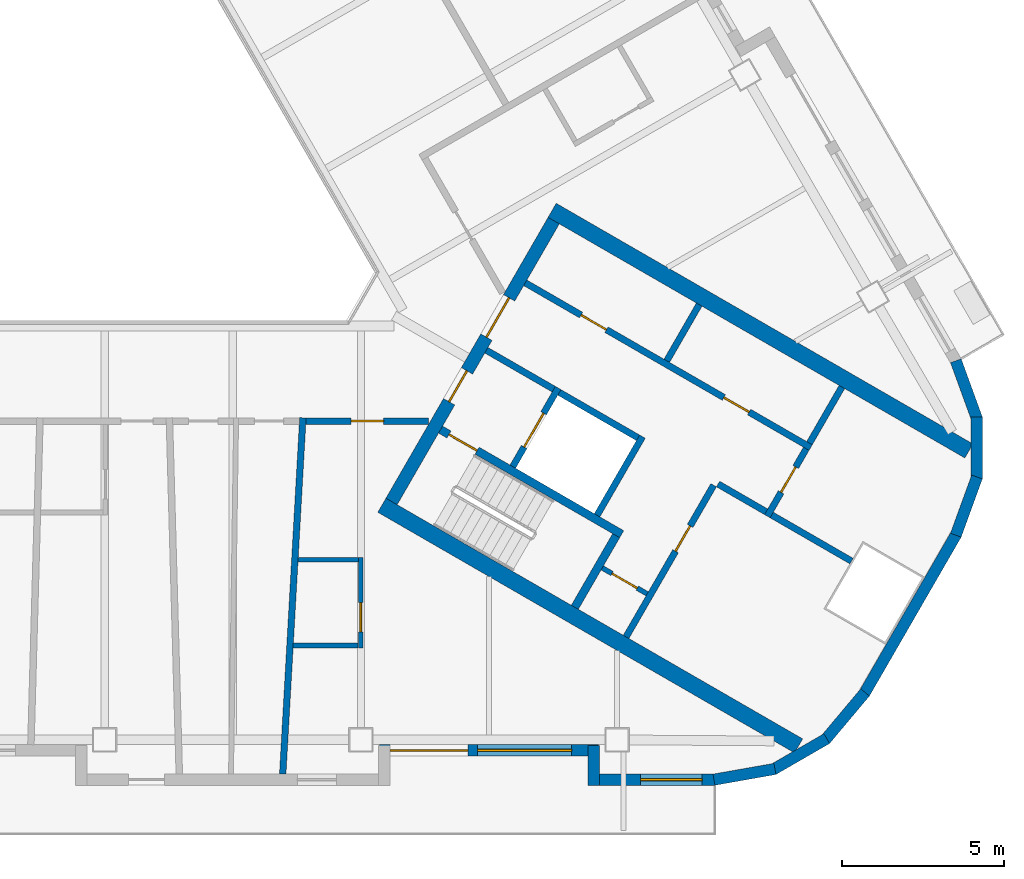
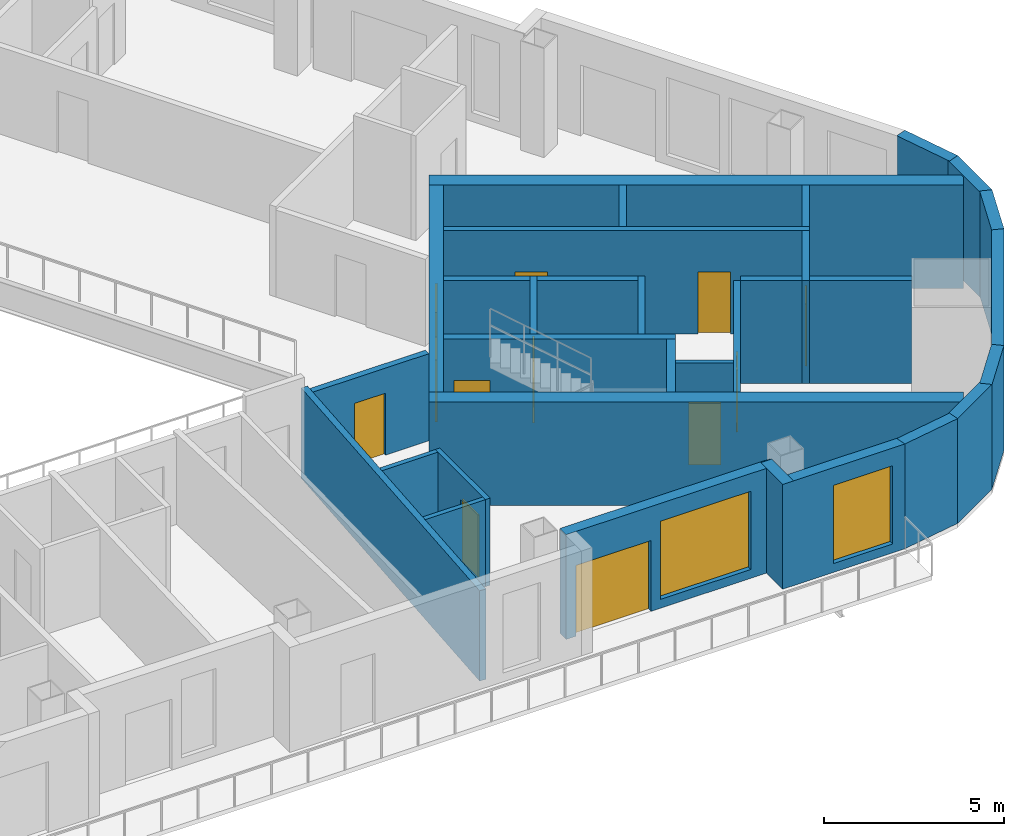
# One storey, part 5 of 14: 32 walls, 12 doors, 2 windows, 14 openings.
"""IFC4 building model written with IfcOpenShell, lengths in metres."""

from ifc_helpers import new_model, si_unit, direction, frame, frame_2d, origin, place, context, subcontext, project, spatial, rectangle, extrude, material, layer, layer_set, type_object, element, fill, save


model = new_model("IFC4")

# Units and contexts
model_context = context("Model", 3, precision=1e-05, world=origin(), true_north=direction((0.0, 1.0)))
body_context = subcontext(model_context, "Body", "Model", "MODEL_VIEW")
ifc_project = project(units=[si_unit("LENGTHUNIT", "METRE"), si_unit("AREAUNIT", "SQUARE_METRE"), si_unit("VOLUMEUNIT", "CUBIC_METRE"), si_unit("PLANEANGLEUNIT", "RADIAN"), si_unit("MASSUNIT", "GRAM", prefix="KILO")], contexts=[model_context])

# Site, building, storey
site_placement = place(None, origin())
site = spatial("IfcSite", under=ifc_project, at=site_placement, CompositionType="ELEMENT")
building_placement = place(site_placement, origin())
building = spatial("IfcBuilding", under=site, at=building_placement, Name="Apuvela Tower Hotel", CompositionType="ELEMENT")
storey_placement = place(building_placement, frame((0.0, 0.0, 220.60009765625)))
storey = spatial("IfcBuildingStorey", under=building, at=storey_placement, Name="L54", CompositionType="ELEMENT", Elevation=220.60009765625)

# Wall, openings, doors
ifc_material_1 = material(Name="Concrete C50/60", Category="concrete")
ifc_layer_1 = layer(ifc_material_1, 0.39990234375)
ifc_layer_set_1 = layer_set([ifc_layer_1], Name="COR-WALL-CORE-400")
wall_type_1 = type_object("IfcWallType", Name="COR-WALL-CORE-400", PredefinedType="SHEAR", material=ifc_layer_set_1)
wall_1_placement = place(storey_placement, frame((8.844970703125, -10.880126953125, 0.0), z_axis=(0.0, 0.0, 1.0), x_axis=(0.500004234368, 0.866022959057, 0.0)))
wall_1 = element("IfcWall", 1, at=wall_1_placement, inside=storey, type_object=wall_type_1, Name="Core wall SE", PredefinedType="SHEAR", context=body_context, shape_type="SweptSolid", body=[
    extrude(rectangle(XDim=10.0, YDim=0.39990234375, at=frame_2d((5.0, 0.0))), origin(), (0.0, 0.0, 1.0), 3.5),
])
opening_1_placement = place(wall_1_placement, frame((3.550048828125, 0.0, 0.0)))
opening_1 = element("IfcOpeningElement", 2, at=opening_1_placement, cuts=wall_1, Name="Opening E-FD", PredefinedType="OPENING", context=body_context, shape_type="SweptSolid", body=[
    extrude(rectangle(XDim=1.10009765625, YDim=2.10009765625, at=frame_2d((0.550048828125, 1.050048828125))), frame((0.0, 0.2099609375, 0.0), z_axis=(0.0, -1.0, 0.0), x_axis=(1.0, 0.0, 0.0)), (0.0, 0.0, 1.0), 0.419921875),
])
opening_2_placement = place(wall_1_placement, frame((5.85009765625, 0.0, 0.0)))
opening_2 = element("IfcOpeningElement", 3, at=opening_2_placement, cuts=wall_1, Name="Opening E-GD", PredefinedType="OPENING", context=body_context, shape_type="SweptSolid", body=[
    extrude(rectangle(XDim=1.39990234375, YDim=2.10009765625, at=frame_2d((0.699951171875, 1.050048828125))), frame((0.0, 0.2099609375, 0.0), z_axis=(0.0, -1.0, 0.0), x_axis=(1.0, 0.0, 0.0)), (0.0, 0.0, 1.0), 0.419921875),
])
ifc_material_2 = material(Name="Steel fire door, powder coated", Category="steel")
door_type_1 = type_object("IfcDoorType", Name="COR-FD-1100", OperationType="NOTDEFINED", PredefinedType="DOOR", material=ifc_material_2)
door_1_placement = place(opening_1_placement, frame((1.10009765625, 0.0, 0.0), z_axis=(0.0, 0.0, 1.0), x_axis=(-1.0, 0.0, 0.0)))
door_1 = element("IfcDoor", 4, at=door_1_placement, inside=storey, type_object=door_type_1, Name="Firefighting lobby door E-FD", OperationType="SINGLE_SWING_LEFT", OverallHeight=2.10009765625, OverallWidth=1.10009765625, PredefinedType="DOOR", context=body_context, shape_type="SweptSolid", body=[
    extrude(rectangle(XDim=1.10009765625, YDim=2.10009765625, at=frame_2d((0.550048828125, 1.050048828125))), frame((0.0, 0.02490234375, 0.0), z_axis=(0.0, -1.0, 0.0), x_axis=(1.0, 0.0, 0.0)), (0.0, 0.0, 1.0), 0.050048828125),
])
fill(opening_1, door_1)
ifc_material_3 = material(Name="Glazed steel fire door", Category="steel")
door_type_2 = type_object("IfcDoorType", Name="COR-GD-1400", OperationType="DOUBLE_DOOR_SINGLE_SWING", PredefinedType="DOOR", material=ifc_material_3)
door_2_placement = place(opening_2_placement, frame((1.39990234375, 0.0, 0.0), z_axis=(0.0, 0.0, 1.0), x_axis=(-1.0, 0.0, 0.0)))
door_2 = element("IfcDoor", 5, at=door_2_placement, inside=storey, type_object=door_type_2, Name="Lift lobby door E-GD", OperationType="DOUBLE_DOOR_SINGLE_SWING", OverallHeight=2.10009765625, OverallWidth=1.39990234375, PredefinedType="DOOR", context=body_context, shape_type="SweptSolid", body=[
    extrude(rectangle(XDim=1.39990234375, YDim=2.10009765625, at=frame_2d((0.699951171875, 1.050048828125))), frame((0.0, 0.02490234375, 0.0), z_axis=(0.0, -1.0, 0.0), x_axis=(1.0, 0.0, 0.0)), (0.0, 0.0, 1.0), 0.050048828125),
])
fill(opening_2, door_2)

# Walls
ifc_layer_2 = layer(ifc_material_1, 0.5)
ifc_layer_set_2 = layer_set([ifc_layer_2], Name="COR-WALL-CORE-500")
wall_type_2 = type_object("IfcWallType", Name="COR-WALL-CORE-500", PredefinedType="SHEAR", material=ifc_layer_set_2)
for number, where, z_axis, x_axis, name in (
    (6, (8.546630859375, -10.99658203125, 0.0), (0.0, 0.0, 1.0), (0.866025009528, -0.500000682871, 0.0), "Core wall SE"),
    (7, (13.796630859375, -1.9033203125, 0.0), (0.0, 0.0, 1.0), (0.866025009528, -0.500000682871, 0.0), "Core wall SE"),
):
    element("IfcWall", number, at=place(storey_placement, frame(where, z_axis=z_axis, x_axis=x_axis)), inside=storey, type_object=wall_type_2, Name=name, PredefinedType="SHEAR", context=body_context, shape_type="SweptSolid", body=[
        extrude(rectangle(XDim=14.8369140625, YDim=0.5, at=frame_2d((7.41845703125, 0.0))), origin(), (0.0, 0.0, 1.0), 3.5),
    ])

# Wall, opening, door
ifc_material_4 = material(Name="Blockwork 150 mm plastered", Category="masonry")
ifc_layer_3 = layer(ifc_material_4, 0.14990234375)
ifc_layer_set_3 = layer_set([ifc_layer_3], Name="COR-WALL-PART-150")
wall_type_3 = type_object("IfcWallType", Name="COR-WALL-PART-150", PredefinedType="PARTITIONING", material=ifc_layer_set_3)
wall_2_placement = place(storey_placement, frame((15.341552734375, -12.927734375, 0.0), z_axis=(0.0, 0.0, 1.0), x_axis=(0.865989903783, -0.500061482766, 0.0)))
wall_2 = element("IfcWall", 8, at=wall_2_placement, inside=storey, type_object=wall_type_3, Name="Partition SE", PredefinedType="PARTITIONING", context=body_context, shape_type="SweptSolid", body=[
    extrude(rectangle(XDim=1.599853515625, YDim=0.14990234375, at=frame_2d((0.7998046875, 0.0))), origin(), (0.0, 0.0, 1.0), 3.5),
])
opening_3_placement = place(wall_2_placement, frame((0.35009765625, 0.0, 0.0)))
opening_3 = element("IfcOpeningElement", 9, at=opening_3_placement, cuts=wall_2, Name="Opening E-RD", PredefinedType="OPENING", context=body_context, shape_type="SweptSolid", body=[
    extrude(rectangle(XDim=0.89990234375, YDim=2.10009765625, at=frame_2d((0.449951171875, 1.050048828125))), frame((0.0, 0.0849609375, 0.0), z_axis=(0.0, -1.0, 0.0), x_axis=(1.0, 0.0, 0.0)), (0.0, 0.0, 1.0), 0.169921875),
])
ifc_material_5 = material(Name="Steel access door, powder coated", Category="steel")
door_type_3 = type_object("IfcDoorType", Name="COR-RD-900", OperationType="NOTDEFINED", PredefinedType="DOOR", material=ifc_material_5)
door_3_placement = place(opening_3_placement, frame((0.89990234375, 0.0, 0.0), z_axis=(0.0, 0.0, 1.0), x_axis=(-1.0, 0.0, 0.0)))
door_3 = element("IfcDoor", 10, at=door_3_placement, inside=storey, type_object=door_type_3, Name="Riser door E-RD", OperationType="SINGLE_SWING_LEFT", OverallHeight=2.10009765625, OverallWidth=0.89990234375, PredefinedType="DOOR", context=body_context, shape_type="SweptSolid", body=[
    extrude(rectangle(XDim=0.89990234375, YDim=2.10009765625, at=frame_2d((0.449951171875, 1.050048828125))), frame((0.0, 0.02490234375, 0.0), z_axis=(0.0, -1.0, 0.0), x_axis=(1.0, 0.0, 0.0)), (0.0, 0.0, 1.0), 0.050048828125),
])
fill(opening_3, door_3)

ifc_material_6 = material(Name="Blockwork 200 mm plastered", Category="masonry")
ifc_layer_4 = layer(ifc_material_6, 0.199951171875)
ifc_layer_set_4 = layer_set([ifc_layer_4], Name="COR-WALL-PART-200")
wall_type_4 = type_object("IfcWallType", Name="COR-WALL-PART-200", PredefinedType="PARTITIONING", material=ifc_layer_set_4)
wall_3_placement = place(storey_placement, frame((16.076171875, -15.05517578125, 0.0), z_axis=(0.0, 0.0, 1.0), x_axis=(0.499995103361, 0.866028230842, 0.0)))
wall_3 = element("IfcWall", 11, at=wall_3_placement, inside=storey, type_object=wall_type_4, Name="Partition SE", PredefinedType="PARTITIONING", context=body_context, shape_type="SweptSolid", body=[
    extrude(rectangle(XDim=5.39990234375, YDim=0.199951171875, at=frame_2d((2.699951171875, 0.0))), origin(), (0.0, 0.0, 1.0), 3.5),
])
opening_4_placement = place(wall_3_placement, frame((3.050048828125, 0.0, 0.0)))
opening_4 = element("IfcOpeningElement", 12, at=opening_4_placement, cuts=wall_3, Name="Opening E-RS1", PredefinedType="OPENING", context=body_context, shape_type="SweptSolid", body=[
    extrude(rectangle(XDim=0.89990234375, YDim=2.10009765625, at=frame_2d((0.449951171875, 1.050048828125))), frame((0.0, 0.10986328125, 0.0), z_axis=(0.0, -1.0, 0.0), x_axis=(1.0, 0.0, 0.0)), (0.0, 0.0, 1.0), 0.219970703125),
])
door_type_4 = type_object("IfcDoorType", Name="COR-DR-900", OperationType="NOTDEFINED", PredefinedType="DOOR", material=ifc_material_2)
door_4_placement = place(opening_4_placement, frame((0.89990234375, 0.0, 0.0), z_axis=(0.0, 0.0, 1.0), x_axis=(-1.0, 0.0, 0.0)))
door_4 = element("IfcDoor", 13, at=door_4_placement, inside=storey, type_object=door_type_4, Name="Store door E-RS1", OperationType="SINGLE_SWING_LEFT", OverallHeight=2.10009765625, OverallWidth=0.89990234375, PredefinedType="DOOR", context=body_context, shape_type="SweptSolid", body=[
    extrude(rectangle(XDim=0.89990234375, YDim=2.10009765625, at=frame_2d((0.449951171875, 1.050048828125))), frame((0.0, 0.02490234375, 0.0), z_axis=(0.0, -1.0, 0.0), x_axis=(1.0, 0.0, 0.0)), (0.0, 0.0, 1.0), 0.050048828125),
])
fill(opening_4, door_4)

# Wall
ifc_layer_5 = layer(ifc_material_1, 0.199951171875)
ifc_layer_set_5 = layer_set([ifc_layer_5], Name="COR-WALL-SHAFT-200")
wall_type_5 = type_object("IfcWallType", Name="COR-WALL-SHAFT-200", PredefinedType="SHEAR", material=ifc_layer_set_5)
wall_4_placement = place(storey_placement, frame((15.181396484375, -11.305419921875, 0.0), z_axis=(0.0, 0.0, 1.0), x_axis=(0.49994636267, 0.866056369097, 0.0)))
element("IfcWall", 14, at=wall_4_placement, inside=storey, type_object=wall_type_5, Name="Shaft wall SE", PredefinedType="SHEAR", context=body_context, shape_type="SweptSolid", body=[
    extrude(rectangle(XDim=2.800048828125, YDim=0.199951171875, at=frame_2d((1.39990234375, 0.0))), origin(), (0.0, 0.0, 1.0), 3.5),
])

# Wall, opening, door
wall_5_placement = place(storey_placement, frame((12.583251953125, -9.805419921875, 0.0), z_axis=(0.0, 0.0, 1.0), x_axis=(0.49994636267, 0.866056369097, 0.0)))
wall_5 = element("IfcWall", 15, at=wall_5_placement, inside=storey, type_object=wall_type_5, Name="Shaft wall SE", PredefinedType="SHEAR", context=body_context, shape_type="SweptSolid", body=[
    extrude(rectangle(XDim=2.800048828125, YDim=0.199951171875, at=frame_2d((1.39990234375, 0.0))), origin(), (0.0, 0.0, 1.0), 3.5),
])
opening_5_placement = place(wall_5_placement, frame((0.699951171875, 0.0, 0.0)))
opening_5 = element("IfcOpeningElement", 16, at=opening_5_placement, cuts=wall_5, Name="Opening E-LD-FS3", PredefinedType="OPENING", context=body_context, shape_type="SweptSolid", body=[
    extrude(rectangle(XDim=1.199951171875, YDim=2.10009765625, at=frame_2d((0.60009765625, 1.050048828125))), frame((0.0, 0.10986328125, 0.0), z_axis=(0.0, -1.0, 0.0), x_axis=(1.0, 0.0, 0.0)), (0.0, 0.0, 1.0), 0.219970703125),
])
ifc_material_7 = material(Name="Stainless steel lift landing door", Category="steel")
door_type_5 = type_object("IfcDoorType", Name="COR-LD-1200", OperationType="DOUBLE_DOOR_SLIDING", PredefinedType="DOOR", material=ifc_material_7)
door_5_placement = place(opening_5_placement, origin())
door_5 = element("IfcDoor", 17, at=door_5_placement, inside=storey, type_object=door_type_5, Name="Lift landing door E-LD-FS3", OperationType="DOUBLE_DOOR_SLIDING", OverallHeight=2.10009765625, OverallWidth=1.199951171875, PredefinedType="DOOR", context=body_context, shape_type="SweptSolid", body=[
    extrude(rectangle(XDim=1.199951171875, YDim=2.10009765625, at=frame_2d((0.60009765625, 1.050048828125))), frame((0.0, 0.02490234375, 0.0), z_axis=(0.0, -1.0, 0.0), x_axis=(1.0, 0.0, 0.0)), (0.0, 0.0, 1.0), 0.050048828125),
])
fill(opening_5, door_5)

# Walls
wall_6_placement = place(storey_placement, frame((11.76806640625, -6.217041015625, 0.0), z_axis=(0.0, 0.0, 1.0), x_axis=(0.866050077142, -0.499957262057, 0.0)))
element("IfcWall", 18, at=wall_6_placement, inside=storey, type_object=wall_type_5, Name="Shaft wall SE", PredefinedType="SHEAR", context=body_context, shape_type="SweptSolid", body=[
    extrude(rectangle(XDim=2.400146484375, YDim=0.199951171875, at=frame_2d((1.2001953125, 0.0))), origin(), (0.0, 0.0, 1.0), 3.5),
])
wall_7_placement = place(storey_placement, frame((14.019775390625, -7.51708984375, 0.0), z_axis=(0.0, 0.0, 1.0), x_axis=(0.866034573852, -0.49998411664, 0.0)))
element("IfcWall", 19, at=wall_7_placement, inside=storey, type_object=wall_type_5, Name="Shaft wall SE", PredefinedType="SHEAR", context=body_context, shape_type="SweptSolid", body=[
    extrude(rectangle(XDim=2.7998046875, YDim=0.199951171875, at=frame_2d((1.39990234375, 0.0))), origin(), (0.0, 0.0, 1.0), 3.5),
])

# Wall, openings, doors
wall_8_placement = place(storey_placement, frame((12.968017578125, -4.138427734375, 0.0), z_axis=(0.0, 0.0, 1.0), x_axis=(0.866028328073, -0.49999493495, 0.0)))
wall_8 = element("IfcWall", 20, at=wall_8_placement, inside=storey, type_object=wall_type_5, Name="Shaft wall SE", PredefinedType="SHEAR", context=body_context, shape_type="SweptSolid", body=[
    extrude(rectangle(XDim=10.16015625, YDim=0.199951171875, at=frame_2d((5.080078125, 0.0))), origin(), (0.0, 0.0, 1.0), 3.5),
])
opening_6_placement = place(wall_8_placement, frame((1.989990234375, 0.0, 0.0)))
opening_6 = element("IfcOpeningElement", 21, at=opening_6_placement, cuts=wall_8, Name="Opening E-RE1", PredefinedType="OPENING", context=body_context, shape_type="SweptSolid", body=[
    extrude(rectangle(XDim=0.89990234375, YDim=2.10009765625, at=frame_2d((0.449951171875, 1.050048828125))), frame((0.0, 0.10986328125, 0.0), z_axis=(0.0, -1.0, 0.0), x_axis=(1.0, 0.0, 0.0)), (0.0, 0.0, 1.0), 0.219970703125),
])
opening_7_placement = place(wall_8_placement, frame((7.070068359375, 0.0, 0.0)))
opening_7 = element("IfcOpeningElement", 22, at=opening_7_placement, cuts=wall_8, Name="Opening E-RE3", PredefinedType="OPENING", context=body_context, shape_type="SweptSolid", body=[
    extrude(rectangle(XDim=0.89990234375, YDim=2.10009765625, at=frame_2d((0.449951171875, 1.050048828125))), frame((0.0, 0.10986328125, 0.0), z_axis=(0.0, -1.0, 0.0), x_axis=(1.0, 0.0, 0.0)), (0.0, 0.0, 1.0), 0.219970703125),
])
door_6_placement = place(opening_6_placement, origin())
door_6 = element("IfcDoor", 23, at=door_6_placement, inside=storey, type_object=door_type_4, Name="Store door E-RE1", OperationType="SINGLE_SWING_LEFT", OverallHeight=2.10009765625, OverallWidth=0.89990234375, PredefinedType="DOOR", context=body_context, shape_type="SweptSolid", body=[
    extrude(rectangle(XDim=0.89990234375, YDim=2.10009765625, at=frame_2d((0.449951171875, 1.050048828125))), frame((0.0, 0.02490234375, 0.0), z_axis=(0.0, -1.0, 0.0), x_axis=(1.0, 0.0, 0.0)), (0.0, 0.0, 1.0), 0.050048828125),
])
fill(opening_6, door_6)
door_7_placement = place(opening_7_placement, origin())
door_7 = element("IfcDoor", 24, at=door_7_placement, inside=storey, type_object=door_type_4, Name="Store door E-RE3", OperationType="SINGLE_SWING_LEFT", OverallHeight=2.10009765625, OverallWidth=0.89990234375, PredefinedType="DOOR", context=body_context, shape_type="SweptSolid", body=[
    extrude(rectangle(XDim=0.89990234375, YDim=2.10009765625, at=frame_2d((0.449951171875, 1.050048828125))), frame((0.0, 0.02490234375, 0.0), z_axis=(0.0, -1.0, 0.0), x_axis=(1.0, 0.0, 0.0)), (0.0, 0.0, 1.0), 0.050048828125),
])
fill(opening_7, door_7)

# Wall, opening, door
wall_9_placement = place(storey_placement, frame((20.430419921875, -11.33349609375, 0.0), z_axis=(0.0, 0.0, 1.0), x_axis=(0.500001309137, 0.866024647952, 0.0)))
wall_9 = element("IfcWall", 25, at=wall_9_placement, inside=storey, type_object=wall_type_5, Name="Shaft wall SE", PredefinedType="SHEAR", context=body_context, shape_type="SweptSolid", body=[
    extrude(rectangle(XDim=2.39990234375, YDim=0.199951171875, at=frame_2d((1.199951171875, 0.0))), origin(), (0.0, 0.0, 1.0), 3.5),
])
opening_8_placement = place(wall_9_placement, frame((0.85009765625, 0.0, 0.0)))
opening_8 = element("IfcOpeningElement", 26, at=opening_8_placement, cuts=wall_9, Name="Opening E-REP", PredefinedType="OPENING", context=body_context, shape_type="SweptSolid", body=[
    extrude(rectangle(XDim=0.89990234375, YDim=2.10009765625, at=frame_2d((0.449951171875, 1.050048828125))), frame((0.0, 0.10986328125, 0.0), z_axis=(0.0, -1.0, 0.0), x_axis=(1.0, 0.0, 0.0)), (0.0, 0.0, 1.0), 0.219970703125),
])
door_8_placement = place(opening_8_placement, frame((0.89990234375, 0.0, 0.0), z_axis=(0.0, 0.0, 1.0), x_axis=(-1.0, 0.0, 0.0)))
door_8 = element("IfcDoor", 27, at=door_8_placement, inside=storey, type_object=door_type_4, Name="Store door E-REP", OperationType="SINGLE_SWING_RIGHT", OverallHeight=2.10009765625, OverallWidth=0.89990234375, PredefinedType="DOOR", context=body_context, shape_type="SweptSolid", body=[
    extrude(rectangle(XDim=0.89990234375, YDim=2.10009765625, at=frame_2d((0.449951171875, 1.050048828125))), frame((0.0, 0.02490234375, 0.0), z_axis=(0.0, -1.0, 0.0), x_axis=(1.0, 0.0, 0.0)), (0.0, 0.0, 1.0), 0.050048828125),
])
fill(opening_8, door_8)

# Walls
wall_10_placement = place(storey_placement, frame((18.912841796875, -10.342041015625, 0.0), z_axis=(0.0, 0.0, 1.0), x_axis=(0.866038183914, -0.499977863513, 0.0)))
element("IfcWall", 28, at=wall_10_placement, inside=storey, type_object=wall_type_5, Name="Shaft wall SE", PredefinedType="SHEAR", context=body_context, shape_type="SweptSolid", body=[
    extrude(rectangle(XDim=1.7099609375, YDim=0.199951171875, at=frame_2d((0.85498046875, 0.0))), origin(), (0.0, 0.0, 1.0), 3.5),
])
for number, where, z_axis, x_axis, name in (
    (29, (17.330810546875, -6.5419921875, 0.0), (0.0, 0.0, 1.0), (0.499972520799, 0.866041268327, 0.0), "Shaft wall SE"),
    (30, (21.73046875, -9.081787109375, 0.0), (0.0, 0.0, 1.0), (0.50002537861, 0.866010750942, 0.0), "Shaft wall SE"),
):
    element("IfcWall", number, at=place(storey_placement, frame(where, z_axis=z_axis, x_axis=x_axis)), inside=storey, type_object=wall_type_5, Name=name, PredefinedType="SHEAR", context=body_context, shape_type="SweptSolid", body=[
        extrude(rectangle(XDim=2.0, YDim=0.199951171875, at=frame_2d((1.0, 0.0))), origin(), (0.0, 0.0, 1.0), 3.5),
    ])
wall_11_placement = place(storey_placement, frame((20.56689453125, -11.297119140625, 0.0), z_axis=(0.0, 0.0, 1.0), x_axis=(0.866055327414, -0.49994816717, 0.0)))
element("IfcWall", 31, at=wall_11_placement, inside=storey, type_object=wall_type_5, Name="Shaft wall SE", PredefinedType="SHEAR", context=body_context, shape_type="SweptSolid", body=[
    extrude(rectangle(XDim=2.840087890625, YDim=0.199951171875, at=frame_2d((1.419921875, 0.0))), origin(), (0.0, 0.0, 1.0), 3.5),
])

# Wall, opening, door
ifc_layer_6 = layer(ifc_material_1, 0.25)
ifc_layer_set_6 = layer_set([ifc_layer_6], Name="COR-WALL-STAIR-250")
wall_type_6 = type_object("IfcWallType", Name="COR-WALL-STAIR-250", PredefinedType="SHEAR", material=ifc_layer_set_6)
wall_12_placement = place(storey_placement, frame((10.355712890625, -8.66357421875, 0.0), z_axis=(0.0, 0.0, 1.0), x_axis=(0.866028629588, -0.499994412703, 0.0)))
wall_12 = element("IfcWall", 32, at=wall_12_placement, inside=storey, type_object=wall_type_6, Name="Stair wall SE", PredefinedType="SHEAR", context=body_context, shape_type="SweptSolid", body=[
    extrude(rectangle(XDim=6.44970703125, YDim=0.25, at=frame_2d((3.224853515625, 0.0))), origin(), (0.0, 0.0, 1.0), 3.5),
])
opening_9_placement = place(wall_12_placement, frame((0.300048828125, 0.0, 0.0)))
opening_9 = element("IfcOpeningElement", 33, at=opening_9_placement, cuts=wall_12, Name="Opening E-SD", PredefinedType="OPENING", context=body_context, shape_type="SweptSolid", body=[
    extrude(rectangle(XDim=1.0, YDim=2.10009765625, at=frame_2d((0.5, 1.050048828125))), frame((0.0, 0.135009765625, 0.0), z_axis=(0.0, -1.0, 0.0), x_axis=(1.0, 0.0, 0.0)), (0.0, 0.0, 1.0), 0.27001953125),
])
door_type_6 = type_object("IfcDoorType", Name="COR-SD-1000", OperationType="NOTDEFINED", PredefinedType="DOOR", material=ifc_material_2)
door_9_placement = place(opening_9_placement, frame((1.0, 0.0, 0.0), z_axis=(0.0, 0.0, 1.0), x_axis=(-1.0, 0.0, 0.0)))
door_9 = element("IfcDoor", 34, at=door_9_placement, inside=storey, type_object=door_type_6, Name="Stair door E-SD", OperationType="SINGLE_SWING_LEFT", OverallHeight=2.10009765625, OverallWidth=1.0, PredefinedType="DOOR", context=body_context, shape_type="SweptSolid", body=[
    extrude(rectangle(XDim=1.0, YDim=2.10009765625, at=frame_2d((0.5, 1.050048828125))), frame((0.0, 0.02490234375, 0.0), z_axis=(0.0, -1.0, 0.0), x_axis=(1.0, 0.0, 0.0)), (0.0, 0.0, 1.0), 0.050048828125),
])
fill(opening_9, door_9)

# Wall
wall_13_placement = place(storey_placement, frame((14.49560546875, -14.142578125, 0.0), z_axis=(0.0, 0.0, 1.0), x_axis=(0.500062241894, 0.865989465428, 0.0)))
element("IfcWall", 35, at=wall_13_placement, inside=storey, type_object=wall_type_6, Name="Stair wall SE", PredefinedType="SHEAR", context=body_context, shape_type="SweptSolid", body=[
    extrude(rectangle(XDim=2.550048828125, YDim=0.25, at=frame_2d((1.27490234375, 0.0))), origin(), (0.0, 0.0, 1.0), 3.5),
])

# Wall, openings, door, window
ifc_material_8 = material(Name="Concrete C40/50, dark pigmented precast panel", Category="concrete")
ifc_layer_7 = layer(ifc_material_8, 0.35009765625)
ifc_layer_set_7 = layer_set([ifc_layer_7], Name="ENV-WALL-350")
wall_type_7 = type_object("IfcWallType", Name="ENV-WALL-350", PredefinedType="SOLIDWALL", material=ifc_layer_set_7)
wall_14_placement = place(storey_placement, frame((8.47998046875, -18.554931640625, 0.0), z_axis=(0.0, 0.0, 1.0), x_axis=(1.0, 0.0, 0.0)))
wall_14 = element("IfcWall", 36, at=wall_14_placement, inside=storey, type_object=wall_type_7, Name="External wall L54-23", PredefinedType="SOLIDWALL", context=body_context, shape_type="SweptSolid", body=[
    extrude(rectangle(XDim=6.739990234375, YDim=0.35009765625, at=frame_2d((3.3701171875, 0.0))), origin(), (0.0, 0.0, 1.0), 3.5498046875),
])
opening_10_placement = place(wall_14_placement, frame((0.3203125, 0.0, 0.0)))
opening_10 = element("IfcOpeningElement", 37, at=opening_10_placement, cuts=wall_14, Name="Opening BD24", PredefinedType="OPENING", context=body_context, shape_type="SweptSolid", body=[
    extrude(rectangle(XDim=2.39990234375, YDim=2.39990234375, at=frame_2d((1.199951171875, 1.199951171875))), frame((0.0, 0.18505859375, 0.0), z_axis=(0.0, -1.0, 0.0), x_axis=(1.0, 0.0, 0.0)), (0.0, 0.0, 1.0), 0.3701171875),
])
opening_11_placement = place(wall_14_placement, frame((3.020263671875, 0.0, 0.300048828125)))
opening_11 = element("IfcOpeningElement", 38, at=opening_11_placement, cuts=wall_14, Name="Opening WN29", PredefinedType="OPENING", context=body_context, shape_type="SweptSolid", body=[
    extrude(rectangle(XDim=2.89990234375, YDim=2.64990234375, at=frame_2d((1.449951171875, 1.324951171875))), frame((0.0, 0.18505859375, 0.0), z_axis=(0.0, -1.0, 0.0), x_axis=(1.0, 0.0, 0.0)), (0.0, 0.0, 1.0), 0.3701171875),
])
ifc_material_9 = material(Name="Aluminium 6063-T6, dark bronze anodised frame with dark tinted laminated glass", Category="aluminium")
door_type_7 = type_object("IfcDoorType", Name="ENV-DOOR-BALCONY-2400x2400", OperationType="SLIDING_TO_LEFT", PredefinedType="DOOR", material=ifc_material_9)
door_10_placement = place(opening_10_placement, frame((2.39990234375, 0.0, 0.0), z_axis=(0.0, 0.0, 1.0), x_axis=(-1.0, 0.0, 0.0)))
door_10 = element("IfcDoor", 39, at=door_10_placement, inside=storey, type_object=door_type_7, Name="Balcony door BD24", OperationType="SLIDING_TO_LEFT", OverallHeight=2.39990234375, OverallWidth=2.39990234375, PredefinedType="DOOR", context=body_context, shape_type="SweptSolid", body=[
    extrude(rectangle(XDim=2.39990234375, YDim=2.39990234375, at=frame_2d((1.199951171875, 1.199951171875))), frame((0.0, 0.02490234375, 0.0), z_axis=(0.0, -1.0, 0.0), x_axis=(1.0, 0.0, 0.0)), (0.0, 0.0, 1.0), 0.050048828125),
])
fill(opening_10, door_10)
ifc_material_10 = material(Name="Glass, dark tinted laminated insulated glazing unit", Category="glass")
window_type_1 = type_object("IfcWindowType", Name="ENV-WIN-2900x2650", PartitioningType="SINGLE_PANEL", PredefinedType="WINDOW", material=ifc_material_10)
window_1_placement = place(opening_11_placement, origin())
window_1 = element("IfcWindow", 40, at=window_1_placement, inside=storey, type_object=window_type_1, Name="Window WN29", OverallHeight=2.64990234375, OverallWidth=2.89990234375, PartitioningType="SINGLE_PANEL", PredefinedType="WINDOW", context=body_context, shape_type="SweptSolid", body=[
    extrude(rectangle(XDim=2.89990234375, YDim=2.64990234375, at=frame_2d((1.449951171875, 1.324951171875))), frame((0.0, 0.030029296875, 0.0), z_axis=(0.0, -1.0, 0.0), x_axis=(1.0, 0.0, 0.0)), (0.0, 0.0, 1.0), 0.06005859375),
])
fill(opening_11, window_1)

# Wall
wall_15_placement = place(storey_placement, frame((15.074951171875, -18.409912109375, 0.0), z_axis=(0.0, 0.0, 1.0), x_axis=(0.0, -1.0, 0.0)))
element("IfcWall", 41, at=wall_15_placement, inside=storey, type_object=wall_type_7, Name="External wall L54-24", PredefinedType="SOLIDWALL", context=body_context, shape_type="SweptSolid", body=[
    extrude(rectangle(XDim=1.219970703125, YDim=0.35009765625, at=frame_2d((0.60986328125, 0.0))), origin(), (0.0, 0.0, 1.0), 3.5498046875),
])

# Wall, opening, window
wall_16_placement = place(storey_placement, frame((14.89990234375, -19.455078125, 0.0), z_axis=(0.0, 0.0, 1.0), x_axis=(1.0, 0.0, 0.0)))
wall_16 = element("IfcWall", 42, at=wall_16_placement, inside=storey, type_object=wall_type_7, Name="External wall L54-25", PredefinedType="SOLIDWALL", context=body_context, shape_type="SweptSolid", body=[
    extrude(rectangle(XDim=3.916015625, YDim=0.35009765625, at=frame_2d((1.9580078125, 0.0))), origin(), (0.0, 0.0, 1.0), 3.5498046875),
])
opening_12_placement = place(wall_16_placement, frame((1.624755859375, 0.0, 0.300048828125)))
opening_12 = element("IfcOpeningElement", 43, at=opening_12_placement, cuts=wall_16, Name="Opening WN19", PredefinedType="OPENING", context=body_context, shape_type="SweptSolid", body=[
    extrude(rectangle(XDim=1.89990234375, YDim=2.64990234375, at=frame_2d((0.949951171875, 1.324951171875))), frame((0.0, 0.18505859375, 0.0), z_axis=(0.0, -1.0, 0.0), x_axis=(1.0, 0.0, 0.0)), (0.0, 0.0, 1.0), 0.3701171875),
])
window_type_2 = type_object("IfcWindowType", Name="ENV-WIN-1900x2650", PartitioningType="SINGLE_PANEL", PredefinedType="WINDOW", material=ifc_material_10)
window_2_placement = place(opening_12_placement, origin())
window_2 = element("IfcWindow", 44, at=window_2_placement, inside=storey, type_object=window_type_2, Name="Window WN19", OverallHeight=2.64990234375, OverallWidth=1.89990234375, PartitioningType="SINGLE_PANEL", PredefinedType="WINDOW", context=body_context, shape_type="SweptSolid", body=[
    extrude(rectangle(XDim=1.89990234375, YDim=2.64990234375, at=frame_2d((0.949951171875, 1.324951171875))), frame((0.0, 0.030029296875, 0.0), z_axis=(0.0, -1.0, 0.0), x_axis=(1.0, 0.0, 0.0)), (0.0, 0.0, 1.0), 0.06005859375),
])
fill(opening_12, window_2)

# Walls
wall_17_placement = place(storey_placement, frame((18.785400390625, -19.457763671875, 0.0), z_axis=(0.0, 0.0, 1.0), x_axis=(0.984798995425, 0.173697837091, 0.0)))
element("IfcWall", 45, at=wall_17_placement, inside=storey, type_object=wall_type_7, Name="External wall L54-26", PredefinedType="SOLIDWALL", context=body_context, shape_type="SweptSolid", body=[
    extrude(rectangle(XDim=1.91015625, YDim=0.35009765625, at=frame_2d((0.955078125, 0.0))), origin(), (0.0, 0.0, 1.0), 3.5498046875),
])
for number, where, z_axis, x_axis, name in (
    (46, (20.609619140625, -19.146728515625, 0.0), (0.0, 0.0, 1.0), (0.866000389056, 0.500043324278, 0.0), "External wall L54-27"),
    (47, (22.21728515625, -18.230712890625, 0.0), (0.0, 0.0, 1.0), (0.642733291068, 0.76609001857, 0.0), "External wall L54-28"),
):
    element("IfcWall", number, at=place(storey_placement, frame(where, z_axis=z_axis, x_axis=x_axis)), inside=storey, type_object=wall_type_7, Name=name, PredefinedType="SOLIDWALL", context=body_context, shape_type="SweptSolid", body=[
        extrude(rectangle(XDim=1.909912109375, YDim=0.35009765625, at=frame_2d((0.955078125, 0.0))), origin(), (0.0, 0.0, 1.0), 3.5498046875),
    ])
wall_18_placement = place(storey_placement, frame((23.427490234375, -16.79248046875, 0.0), z_axis=(0.0, 0.0, 1.0), x_axis=(0.500018773155, 0.866014564827, 0.0)))
element("IfcWall", 48, at=wall_18_placement, inside=storey, type_object=wall_type_7, Name="External wall L54-29", PredefinedType="SOLIDWALL", context=body_context, shape_type="SweptSolid", body=[
    extrude(rectangle(XDim=5.657958984375, YDim=0.35009765625, at=frame_2d((2.8291015625, 0.0))), origin(), (0.0, 0.0, 1.0), 3.5498046875),
])
for number, where, z_axis, x_axis, name in (
    (49, (26.24365234375, -11.920166015625, 0.0), (0.0, 0.0, 1.0), (0.342030395486, 0.939688889242, 0.0), "External wall L54-30"),
    (50, (26.88623046875, -10.18505859375, 0.0), (0.0, 0.0, 1.0), (0.0, 1.0, 0.0), "External wall L54-31"),
    (51, (26.89697265625, -8.334716796875, 0.0), (0.0, 0.0, 1.0), (-0.342030395486, 0.939688889242, 0.0), "External wall L54-32"),
):
    element("IfcWall", number, at=place(storey_placement, frame(where, z_axis=z_axis, x_axis=x_axis)), inside=storey, type_object=wall_type_7, Name=name, PredefinedType="SOLIDWALL", context=body_context, shape_type="SweptSolid", body=[
        extrude(rectangle(XDim=1.91015625, YDim=0.35009765625, at=frame_2d((0.955078125, 0.0))), origin(), (0.0, 0.0, 1.0), 3.5498046875),
    ])
ifc_material_11 = material(Name="Gypsum board partition on twin steel stud", Category="steel")
ifc_layer_8 = layer(ifc_material_11, 0.199951171875)
ifc_layer_set_8 = layer_set([ifc_layer_8], Name="GST-PW1")
wall_type_8 = type_object("IfcWallType", Name="GST-PW1", PredefinedType="PARTITIONING", material=ifc_layer_set_8)
wall_19_placement = place(storey_placement, frame((5.489990234375, -19.280029296875, 0.0), z_axis=(0.0, 0.0, 1.0), x_axis=(0.056497863711, 0.998402720046, 0.0)))
element("IfcWall", 52, at=wall_19_placement, inside=storey, type_object=wall_type_8, Name="L54 partition 04", PredefinedType="PARTITIONING", context=body_context, shape_type="SweptSolid", body=[
    extrude(rectangle(XDim=10.99755859375, YDim=0.199951171875, at=frame_2d((5.498779296875, 0.0))), origin(), (0.0, 0.0, 1.0), 3.059814453125),
])

# Wall, opening, door
ifc_material_12 = material(Name="Gypsum board corridor wall on twin steel stud, acoustic", Category="steel")
ifc_layer_9 = layer(ifc_material_12, 0.199951171875)
ifc_layer_set_9 = layer_set([ifc_layer_9], Name="GST-PW2")
wall_type_9 = type_object("IfcWallType", Name="GST-PW2", PredefinedType="PARTITIONING", material=ifc_layer_set_9)
wall_20_placement = place(storey_placement, frame((9.98828125, -8.39990234375, 0.0), z_axis=(0.0, 0.0, 1.0), x_axis=(-1.0, 0.0, 0.0)))
wall_20 = element("IfcWall", 53, at=wall_20_placement, inside=storey, type_object=wall_type_9, Name="L54 partition 23", PredefinedType="PARTITIONING", context=body_context, shape_type="SweptSolid", body=[
    extrude(rectangle(XDim=3.782470703125, YDim=0.199951171875, at=frame_2d((1.89111328125, 0.0))), origin(), (0.0, 0.0, 1.0), 2.949951171875),
])
opening_13_placement = place(wall_20_placement, frame((1.39111328125, 0.0, 0.0)))
opening_13 = element("IfcOpeningElement", 54, at=opening_13_placement, cuts=wall_20, Name="Opening GD21-10", PredefinedType="OPENING", context=body_context, shape_type="SweptSolid", body=[
    extrude(rectangle(XDim=1.0, YDim=2.10009765625, at=frame_2d((0.5, 1.050048828125))), frame((0.0, 0.10986328125, 0.0), z_axis=(0.0, -1.0, 0.0), x_axis=(1.0, 0.0, 0.0)), (0.0, 0.0, 1.0), 0.219970703125),
])
ifc_material_13 = material(Name="Timber door leaf in steel frame", Category="steel")
door_type_8 = type_object("IfcDoorType", Name="GST-D1", OperationType="NOTDEFINED", PredefinedType="DOOR", material=ifc_material_13)
door_11_placement = place(opening_13_placement, origin())
door_11 = element("IfcDoor", 55, at=door_11_placement, inside=storey, type_object=door_type_8, Name="Door L54-10", OperationType="SINGLE_SWING_RIGHT", OverallHeight=2.10009765625, OverallWidth=1.0, PredefinedType="DOOR", context=body_context, shape_type="SweptSolid", body=[
    extrude(rectangle(XDim=1.0, YDim=2.10009765625, at=frame_2d((0.5, 1.050048828125))), frame((0.0, 0.02490234375, 0.0), z_axis=(0.0, -1.0, 0.0), x_axis=(1.0, 0.0, 0.0)), (0.0, 0.0, 1.0), 0.050048828125),
])
fill(opening_13, door_11)

ifc_material_14 = material(Name="Moisture-resistant gypsum board wet wall on steel stud", Category="steel")
ifc_layer_10 = layer(ifc_material_14, 0.14990234375)
ifc_layer_set_10 = layer_set([ifc_layer_10], Name="GST-PW3")
wall_type_10 = type_object("IfcWallType", Name="GST-PW3", PredefinedType="PARTITIONING", material=ifc_layer_set_10)
wall_21_placement = place(storey_placement, frame((7.893310546875, -15.39990234375, 0.0), z_axis=(0.0, 0.0, 1.0), x_axis=(0.0, 1.0, 0.0)))
wall_21 = element("IfcWall", 56, at=wall_21_placement, inside=storey, type_object=wall_type_10, Name="L54 partition 24", PredefinedType="PARTITIONING", context=body_context, shape_type="SweptSolid", body=[
    extrude(rectangle(XDim=2.7998046875, YDim=0.14990234375, at=frame_2d((1.39990234375, 0.0))), origin(), (0.0, 0.0, 1.0), 2.949951171875),
])
opening_14_placement = place(wall_21_placement, frame((0.5, 0.0, 0.0)))
opening_14 = element("IfcOpeningElement", 57, at=opening_14_placement, cuts=wall_21, Name="Opening GD21-09", PredefinedType="OPENING", context=body_context, shape_type="SweptSolid", body=[
    extrude(rectangle(XDim=0.89990234375, YDim=2.10009765625, at=frame_2d((0.449951171875, 1.050048828125))), frame((0.0, 0.0849609375, 0.0), z_axis=(0.0, -1.0, 0.0), x_axis=(1.0, 0.0, 0.0)), (0.0, 0.0, 1.0), 0.169921875),
])
door_type_9 = type_object("IfcDoorType", Name="GST-D2", OperationType="NOTDEFINED", PredefinedType="DOOR", material=ifc_material_13)
door_12_placement = place(opening_14_placement, origin())
door_12 = element("IfcDoor", 58, at=door_12_placement, inside=storey, type_object=door_type_9, Name="Door L54-09", OperationType="SINGLE_SWING_LEFT", OverallHeight=2.10009765625, OverallWidth=0.89990234375, PredefinedType="DOOR", context=body_context, shape_type="SweptSolid", body=[
    extrude(rectangle(XDim=0.89990234375, YDim=2.10009765625, at=frame_2d((0.449951171875, 1.050048828125))), frame((0.0, 0.02490234375, 0.0), z_axis=(0.0, -1.0, 0.0), x_axis=(1.0, 0.0, 0.0)), (0.0, 0.0, 1.0), 0.050048828125),
])
fill(opening_14, door_12)

# Walls
wall_22_placement = place(storey_placement, frame((5.81396484375, -15.324951171875, 0.0), z_axis=(0.0, 0.0, 1.0), x_axis=(1.0, 0.0, 0.0)))
element("IfcWall", 59, at=wall_22_placement, inside=storey, type_object=wall_type_10, Name="L54 partition 25", PredefinedType="PARTITIONING", context=body_context, shape_type="SweptSolid", body=[
    extrude(rectangle(XDim=2.004150390625, YDim=0.14990234375, at=frame_2d((1.001953125, 0.0))), origin(), (0.0, 0.0, 1.0), 2.949951171875),
])
wall_23_placement = place(storey_placement, frame((5.9638671875, -12.675048828125, 0.0), z_axis=(0.0, 0.0, 1.0), x_axis=(1.0, 0.0, 0.0)))
element("IfcWall", 60, at=wall_23_placement, inside=storey, type_object=wall_type_10, Name="L54 partition 26", PredefinedType="PARTITIONING", context=body_context, shape_type="SweptSolid", body=[
    extrude(rectangle(XDim=1.854248046875, YDim=0.14990234375, at=frame_2d((0.92724609375, 0.0))), origin(), (0.0, 0.0, 1.0), 2.949951171875),
])

save(model, "model.ifc")
